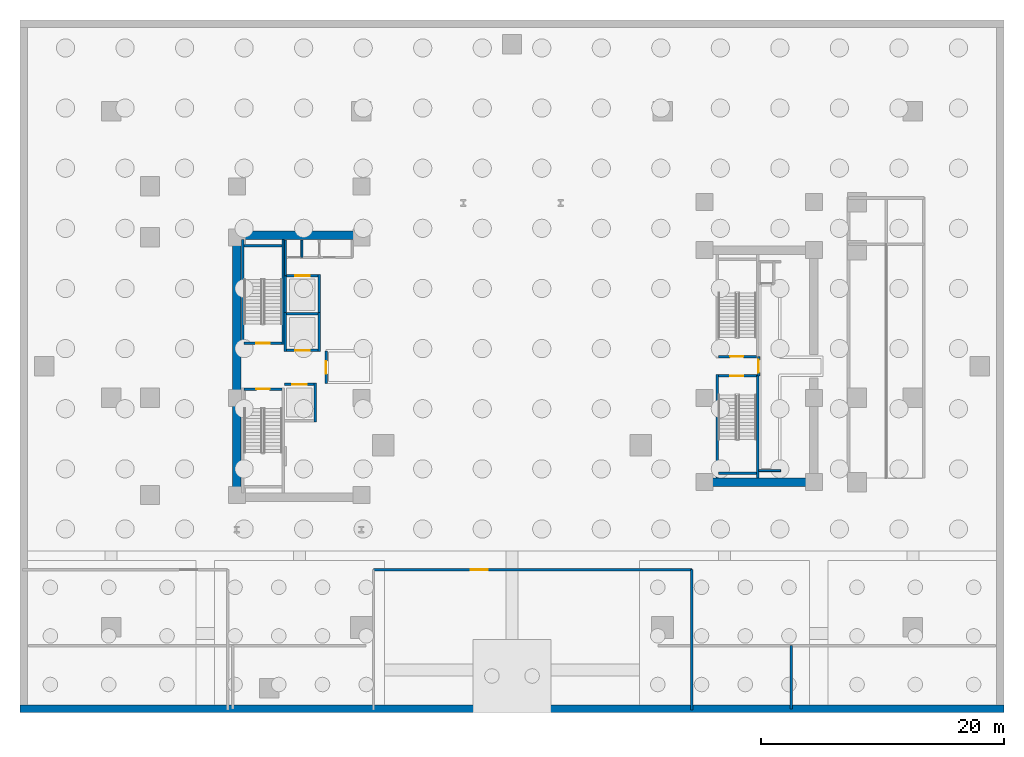
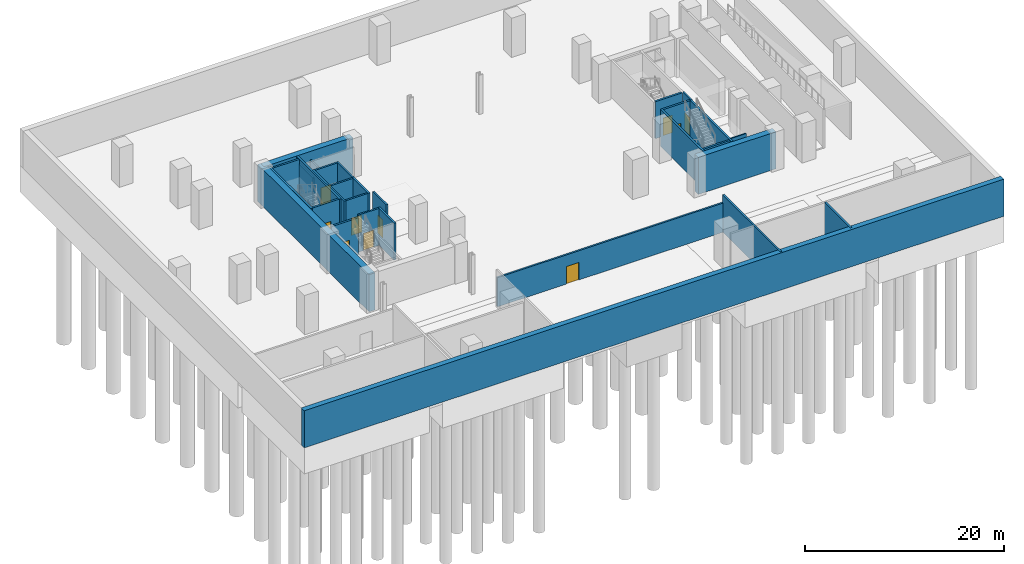
# One storey, part 3 of 10: 31 walls, 10 doors, 10 openings.
"""IFC4 building model written with IfcOpenShell, lengths in metres."""

from ifc_helpers import new_model, si_unit, direction, frame, frame_2d, origin, place, context, subcontext, project, spatial, rectangle, extrude, material, layer, layer_set, type_object, element, fill, save


model = new_model("IFC4")

# Units and contexts
model_context = context("Model", 3, precision=1e-05, world=origin(), true_north=direction((0.0, 1.0)))
body_context = subcontext(model_context, "Body", "Model", "MODEL_VIEW")
ifc_project = project(units=[si_unit("LENGTHUNIT", "METRE"), si_unit("AREAUNIT", "SQUARE_METRE"), si_unit("VOLUMEUNIT", "CUBIC_METRE"), si_unit("PLANEANGLEUNIT", "RADIAN"), si_unit("MASSUNIT", "GRAM", prefix="KILO")], contexts=[model_context])

# Site, building, storey
site_placement = place(None, origin())
site = spatial("IfcSite", under=ifc_project, at=site_placement, CompositionType="ELEMENT")
building_placement = place(site_placement, origin())
building = spatial("IfcBuilding", under=site, at=building_placement, Name="Valdorenza Pilgrim Sanctuary Tower", CompositionType="ELEMENT")
storey_placement = place(building_placement, frame((0.0, 0.0, -9.60009765625)))
storey = spatial("IfcBuildingStorey", under=building, at=storey_placement, Name="B02", CompositionType="ELEMENT", Elevation=-9.60009765625)

# Walls
ifc_material_1 = material(Name="Acoustic twin-stud gypsum partition", Category="gypsum")
ifc_layer_1 = layer(ifc_material_1, 0.159912109375, Name="Acoustic twin-stud gypsum partition")
ifc_layer_set_1 = layer_set([ifc_layer_1], Name="Acoustic twin-stud gypsum partition")
wall_type_1 = type_object("IfcWallType", Name="WAL-COR-160", PredefinedType="PARTITIONING", material=ifc_layer_set_1)
wall_1_placement = place(storey_placement, frame((-18.64990234375, 7.449951171875, 0.0), z_axis=(0.0, 0.0, 1.0), x_axis=(0.0, 1.0, 0.0)))
element("IfcWall", 1, at=wall_1_placement, inside=storey, type_object=wall_type_1, Name="B02 Core A North Service West Wall", PredefinedType="PARTITIONING", context=body_context, shape_type="SweptSolid", body=[
    extrude(rectangle(XDim=2.929931640625, YDim=0.159912109375, at=frame_2d((1.46484375, 0.0))), origin(), (0.0, 0.0, 1.0), 3.5771484375),
])
wall_2_placement = place(storey_placement, frame((-17.300048828125, 8.949951171875, 0.0), z_axis=(0.0, 0.0, 1.0), x_axis=(0.0, 1.0, 0.0)))
element("IfcWall", 2, at=wall_2_placement, inside=storey, type_object=wall_type_1, Name="B02 Core Electrical Riser Wall", PredefinedType="PARTITIONING", context=body_context, shape_type="SweptSolid", body=[
    extrude(rectangle(XDim=1.429931640625, YDim=0.159912109375, at=frame_2d((0.71484375, 0.0))), origin(), (0.0, 0.0, 1.0), 3.5771484375),
])
wall_3_placement = place(storey_placement, frame((20.300048828125, -8.60009765625, 0.0), z_axis=(0.0, 0.0, 1.0), x_axis=(1.0, 0.0, 0.0)))
element("IfcWall", 3, at=wall_3_placement, inside=storey, type_object=wall_type_1, Name="B02 Core B Lift Hall South End Wall", PredefinedType="PARTITIONING", context=body_context, shape_type="SweptSolid", body=[
    extrude(rectangle(XDim=1.820068359375, YDim=0.159912109375, at=frame_2d((0.91015625, 0.0))), origin(), (0.0, 0.0, 1.0), 4.5400390625),
])
ifc_material_2 = material(Name="Concrete C60/75", Category="concrete")
ifc_layer_2 = layer(ifc_material_2, 0.699951171875, Name="Concrete C60/75")
ifc_layer_set_2 = layer_set([ifc_layer_2], Name="Concrete C60/75")
wall_type_2 = type_object("IfcWallType", Name="WAL-COR-700", PredefinedType="SHEAR", material=ifc_layer_set_2)
wall_4_placement = place(storey_placement, frame((-22.64990234375, -11.14990234375, 0.0), z_axis=(0.0, 0.0, 1.0), x_axis=(0.0, 1.0, 0.0)))
element("IfcWall", 4, at=wall_4_placement, inside=storey, type_object=wall_type_2, Name="B02 Split Core A Shear Wall W", PredefinedType="SHEAR", context=body_context, shape_type="SweptSolid", body=[
    extrude(rectangle(XDim=22.2998046875, YDim=0.699951171875, at=frame_2d((11.14990234375, 0.0))), origin(), (0.0, 0.0, 1.0), 4.5400390625),
])
wall_5_placement = place(storey_placement, frame((-22.64990234375, 10.800048828125, 0.0), z_axis=(0.0, 0.0, 1.0), x_axis=(1.0, 0.0, 0.0)))
element("IfcWall", 5, at=wall_5_placement, inside=storey, type_object=wall_type_2, Name="B02 Split Core A Shear Wall N", PredefinedType="SHEAR", context=body_context, shape_type="SweptSolid", body=[
    extrude(rectangle(XDim=10.25, YDim=0.699951171875, at=frame_2d((5.125, 0.0))), origin(), (0.0, 0.0, 1.0), 4.5400390625),
])
wall_6_placement = place(storey_placement, frame((15.85009765625, -9.550048828125, 0.0), z_axis=(0.0, 0.0, 1.0), x_axis=(1.0, 0.0, 0.0)))
element("IfcWall", 6, at=wall_6_placement, inside=storey, type_object=wall_type_2, Name="B02 Split Core B Shear Wall S", PredefinedType="SHEAR", context=body_context, shape_type="SweptSolid", body=[
    extrude(rectangle(XDim=9.0, YDim=0.699951171875, at=frame_2d((4.5, 0.0))), origin(), (0.0, 0.0, 1.0), 4.5400390625),
])

# Wall, opening, door
ifc_material_3 = material(Name="Gypsum shaftwall partition", Category="gypsum")
ifc_layer_3 = layer(ifc_material_3, 0.199951171875, Name="Gypsum shaftwall partition")
ifc_layer_set_3 = layer_set([ifc_layer_3], Name="Gypsum shaftwall partition")
wall_type_3 = type_object("IfcWallType", Name="WAL-FFL-200", PredefinedType="PARTITIONING", material=ifc_layer_set_3)
wall_7_placement = place(storey_placement, frame((-15.300048828125, -1.419921875, 0.0), z_axis=(0.0, 0.0, 1.0), x_axis=(0.0, 1.0, 0.0)))
wall_7 = element("IfcWall", 7, at=wall_7_placement, inside=storey, type_object=wall_type_3, Name="B02 Core A Firefighting Lobby East Wall", PredefinedType="PARTITIONING", context=body_context, shape_type="SweptSolid", body=[
    extrude(rectangle(XDim=2.669921875, YDim=0.199951171875, at=frame_2d((1.3349609375, 0.0))), origin(), (0.0, 0.0, 1.0), 4.5400390625),
])
opening_1_placement = place(wall_7_placement, frame((0.780029296875, 0.0, 0.0)))
opening_1 = element("IfcOpeningElement", 8, at=opening_1_placement, cuts=wall_7, Name="Opening DR-FL1", PredefinedType="OPENING", context=body_context, shape_type="SweptSolid", body=[
    extrude(rectangle(XDim=1.050048828125, YDim=2.14990234375, at=frame_2d((0.52490234375, 1.074951171875))), frame((0.0, 0.11474609375, 0.0), z_axis=(0.0, -1.0, 0.0), x_axis=(1.0, 0.0, 0.0)), (0.0, 0.0, 1.0), 0.229736328125),
])
ifc_material_4 = material(Name="Painted galvanized steel", Category="steel")
door_type_1 = type_object("IfcDoorType", Name="DR-FFL-1050", OperationType="NOTDEFINED", PredefinedType="DOOR", material=ifc_material_4)
door_1_placement = place(opening_1_placement, origin())
door_1 = element("IfcDoor", 9, at=door_1_placement, inside=storey, type_object=door_type_1, Name="B02 Core A Firefighting Lobby Door", OperationType="SINGLE_SWING_RIGHT", OverallHeight=2.14990234375, OverallWidth=1.050048828125, PredefinedType="DOOR", context=body_context, shape_type="SweptSolid", body=[
    extrude(rectangle(XDim=1.050048828125, YDim=2.14990234375, at=frame_2d((0.52490234375, 1.074951171875))), frame((0.0, 0.02490234375, 0.0), z_axis=(0.0, -1.0, 0.0), x_axis=(1.0, 0.0, 0.0)), (0.0, 0.0, 1.0), 0.050048828125),
])
fill(opening_1, door_1)

wall_8_placement = place(storey_placement, frame((20.300048828125, -0.820068359375, 0.0), z_axis=(0.0, 0.0, 1.0), x_axis=(0.0, 1.0, 0.0)))
wall_8 = element("IfcWall", 10, at=wall_8_placement, inside=storey, type_object=wall_type_3, Name="B02 Core B Firefighting Lobby East Wall", PredefinedType="PARTITIONING", context=body_context, shape_type="SweptSolid", body=[
    extrude(rectangle(XDim=1.64013671875, YDim=0.199951171875, at=frame_2d((0.820068359375, 0.0))), origin(), (0.0, 0.0, 1.0), 4.5400390625),
])
opening_2_placement = place(wall_8_placement, frame((0.294921875, 0.0, 0.0)))
opening_2 = element("IfcOpeningElement", 11, at=opening_2_placement, cuts=wall_8, Name="Opening DR-FL1", PredefinedType="OPENING", context=body_context, shape_type="SweptSolid", body=[
    extrude(rectangle(XDim=1.050048828125, YDim=2.14990234375, at=frame_2d((0.52490234375, 1.074951171875))), frame((0.0, 0.11474609375, 0.0), z_axis=(0.0, -1.0, 0.0), x_axis=(1.0, 0.0, 0.0)), (0.0, 0.0, 1.0), 0.229736328125),
])
door_2_placement = place(opening_2_placement, origin())
door_2 = element("IfcDoor", 12, at=door_2_placement, inside=storey, type_object=door_type_1, Name="B02 Core B Firefighting Lobby Door", OperationType="SINGLE_SWING_RIGHT", OverallHeight=2.14990234375, OverallWidth=1.050048828125, PredefinedType="DOOR", context=body_context, shape_type="SweptSolid", body=[
    extrude(rectangle(XDim=1.050048828125, YDim=2.14990234375, at=frame_2d((0.52490234375, 1.074951171875))), frame((0.0, 0.02490234375, 0.0), z_axis=(0.0, -1.0, 0.0), x_axis=(1.0, 0.0, 0.0)), (0.0, 0.0, 1.0), 0.050048828125),
])
fill(opening_2, door_2)

wall_9_placement = place(storey_placement, frame((-11.39990234375, -16.75, 0.0), z_axis=(0.0, 0.0, 1.0), x_axis=(1.0, 0.0, 0.0)))
wall_9 = element("IfcWall", 13, at=wall_9_placement, inside=storey, type_object=wall_type_3, Name="B02 South-Central Plant Wall", PredefinedType="PARTITIONING", context=body_context, shape_type="SweptSolid", body=[
    extrude(rectangle(XDim=26.199951171875, YDim=0.199951171875, at=frame_2d((13.10009765625, 0.0))), origin(), (0.0, 0.0, 1.0), 3.5771484375),
])
opening_3_placement = place(wall_9_placement, frame((8.0, 0.0, 0.0)))
opening_3 = element("IfcOpeningElement", 14, at=opening_3_placement, cuts=wall_9, Name="Opening DR-PL1", PredefinedType="OPENING", context=body_context, shape_type="SweptSolid", body=[
    extrude(rectangle(XDim=1.39990234375, YDim=2.14990234375, at=frame_2d((0.699951171875, 1.074951171875))), frame((0.0, 0.11474609375, 0.0), z_axis=(0.0, -1.0, 0.0), x_axis=(1.0, 0.0, 0.0)), (0.0, 0.0, 1.0), 0.229736328125),
])
door_type_2 = type_object("IfcDoorType", Name="DR-PLT-1400", OperationType="NOTDEFINED", PredefinedType="DOOR", material=ifc_material_4)
door_3_placement = place(opening_3_placement, frame((1.39990234375, 0.0, 0.0), z_axis=(0.0, 0.0, 1.0), x_axis=(-1.0, 0.0, 0.0)))
door_3 = element("IfcDoor", 15, at=door_3_placement, inside=storey, type_object=door_type_2, Name="B02 Central Plant Hall Door", OperationType="DOUBLE_DOOR_SINGLE_SWING", OverallHeight=2.14990234375, OverallWidth=1.39990234375, PredefinedType="DOOR", context=body_context, shape_type="SweptSolid", body=[
    extrude(rectangle(XDim=1.39990234375, YDim=2.14990234375, at=frame_2d((0.699951171875, 1.074951171875))), frame((0.0, 0.02490234375, 0.0), z_axis=(0.0, -1.0, 0.0), x_axis=(1.0, 0.0, 0.0)), (0.0, 0.0, 1.0), 0.050048828125),
])
fill(opening_3, door_3)

# Walls
wall_10_placement = place(storey_placement, frame((14.800048828125, -28.300048828125, 0.0), z_axis=(0.0, 0.0, 1.0), x_axis=(0.0, 1.0, 0.0)))
element("IfcWall", 16, at=wall_10_placement, inside=storey, type_object=wall_type_3, Name="B02 South-Central Plant East Wall", PredefinedType="PARTITIONING", context=body_context, shape_type="SweptSolid", body=[
    extrude(rectangle(XDim=11.550048828125, YDim=0.199951171875, at=frame_2d((5.77490234375, 0.0))), origin(), (0.0, 0.0, 1.0), 4.5400390625),
])
ifc_material_5 = material(Name="Concrete C50/60", Category="concrete")
ifc_layer_4 = layer(ifc_material_5, 0.60009765625, Name="Concrete C50/60")
ifc_layer_set_4 = layer_set([ifc_layer_4], Name="Concrete C50/60")
wall_type_4 = type_object("IfcWallType", Name="WAL-RET-600", PredefinedType="SOLIDWALL", material=ifc_layer_set_4)
wall_11_placement = place(storey_placement, frame((-40.5, -28.199951171875, 0.0), z_axis=(0.0, 0.0, 1.0), x_axis=(1.0, 0.0, 0.0)))
element("IfcWall", 17, at=wall_11_placement, inside=storey, type_object=wall_type_4, Name="B02 Basement Retaining Wall S", PredefinedType="SOLIDWALL", context=body_context, shape_type="SweptSolid", body=[
    extrude(rectangle(XDim=81.0, YDim=0.60009765625, at=frame_2d((40.5, 0.0))), origin(), (0.0, 0.0, 1.0), 4.5400390625),
])
ifc_material_6 = material(Name="Autoclaved aerated concrete blockwork", Category="masonry")
ifc_layer_5 = layer(ifc_material_6, 0.199951171875, Name="Autoclaved aerated concrete blockwork")
ifc_layer_set_5 = layer_set([ifc_layer_5], Name="Autoclaved aerated concrete blockwork")
wall_type_5 = type_object("IfcWallType", Name="WAL-SHF-200", PredefinedType="MOVABLE", material=ifc_layer_set_5)
for number, where, z_axis, x_axis, name in (
    (18, (-18.64990234375, 1.199951171875, 0.0), (0.0, 0.0, 1.0), (0.0, 1.0, 0.0), "B02 Lift FFL-01 Hoistway Wall West"),
    (19, (-15.85009765625, 1.199951171875, 0.0), (0.0, 0.0, 1.0), (0.0, 1.0, 0.0), "B02 Lift FFL-01 Hoistway Wall East"),
):
    element("IfcWall", number, at=place(storey_placement, frame(where, z_axis=z_axis, x_axis=x_axis)), inside=storey, type_object=wall_type_5, Name=name, PredefinedType="MOVABLE", context=body_context, shape_type="SweptSolid", body=[
        extrude(rectangle(XDim=3.22509765625, YDim=0.199951171875, at=frame_2d((1.612548828125, 0.0))), origin(), (0.0, 0.0, 1.0), 4.5400390625),
    ])

# Wall, opening, door
wall_12_placement = place(storey_placement, frame((-18.550048828125, 1.300048828125, 0.0), z_axis=(0.0, 0.0, 1.0), x_axis=(1.0, 0.0, 0.0)))
wall_12 = element("IfcWall", 20, at=wall_12_placement, inside=storey, type_object=wall_type_5, Name="B02 Lift FFL-01 Hoistway Wall South", PredefinedType="MOVABLE", context=body_context, shape_type="SweptSolid", body=[
    extrude(rectangle(XDim=2.60009765625, YDim=0.199951171875, at=frame_2d((1.300048828125, 0.0))), origin(), (0.0, 0.0, 1.0), 4.5400390625),
])
opening_4_placement = place(wall_12_placement, frame((0.699951171875, 0.0, 0.0)))
opening_4 = element("IfcOpeningElement", 21, at=opening_4_placement, cuts=wall_12, Name="Opening LD-02", PredefinedType="OPENING", context=body_context, shape_type="SweptSolid", body=[
    extrude(rectangle(XDim=1.199951171875, YDim=2.10009765625, at=frame_2d((0.60009765625, 1.050048828125))), frame((0.0, 0.11474609375, 0.0), z_axis=(0.0, -1.0, 0.0), x_axis=(1.0, 0.0, 0.0)), (0.0, 0.0, 1.0), 0.229736328125),
])
ifc_material_7 = material(Name="Brushed stainless steel Grade 316", Category="steel")
door_type_3 = type_object("IfcDoorType", Name="DR-LFT-1200", OperationType="DOUBLE_DOOR_SLIDING", PredefinedType="DOOR", material=ifc_material_7)
door_4_placement = place(opening_4_placement, origin())
door_4 = element("IfcDoor", 22, at=door_4_placement, inside=storey, type_object=door_type_3, Name="B02 Lift FFL-01 Sliding Landing Door", OperationType="DOUBLE_DOOR_SLIDING", OverallHeight=2.10009765625, OverallWidth=1.199951171875, PredefinedType="DOOR", context=body_context, shape_type="SweptSolid", body=[
    extrude(rectangle(XDim=1.199951171875, YDim=2.10009765625, at=frame_2d((0.60009765625, 1.050048828125))), frame((0.0, 0.02490234375, 0.0), z_axis=(0.0, -1.0, 0.0), x_axis=(1.0, 0.0, 0.0)), (0.0, 0.0, 1.0), 0.050048828125),
])
fill(opening_4, door_4)

# Walls
wall_13_placement = place(storey_placement, frame((-18.550048828125, 4.324951171875, 0.0), z_axis=(0.0, 0.0, 1.0), x_axis=(1.0, 0.0, 0.0)))
element("IfcWall", 23, at=wall_13_placement, inside=storey, type_object=wall_type_5, Name="B02 Lift FFL-01 Hoistway Wall North", PredefinedType="MOVABLE", context=body_context, shape_type="SweptSolid", body=[
    extrude(rectangle(XDim=2.60009765625, YDim=0.199951171875, at=frame_2d((1.300048828125, 0.0))), origin(), (0.0, 0.0, 1.0), 4.5400390625),
])
wall_14_placement = place(storey_placement, frame((-16.199951171875, -4.60009765625, 0.0), z_axis=(0.0, 0.0, 1.0), x_axis=(0.0, 1.0, 0.0)))
element("IfcWall", 24, at=wall_14_placement, inside=storey, type_object=wall_type_5, Name="B02 Lift FFL-02 Hoistway Wall East", PredefinedType="MOVABLE", context=body_context, shape_type="SweptSolid", body=[
    extrude(rectangle(XDim=3.2001953125, YDim=0.199951171875, at=frame_2d((1.60009765625, 0.0))), origin(), (0.0, 0.0, 1.0), 4.5400390625),
])

# Wall, opening, door
wall_15_placement = place(storey_placement, frame((-18.719970703125, -1.5, 0.0), z_axis=(0.0, 0.0, 1.0), x_axis=(1.0, 0.0, 0.0)))
wall_15 = element("IfcWall", 25, at=wall_15_placement, inside=storey, type_object=wall_type_5, Name="B02 Lift FFL-02 Hoistway Wall North", PredefinedType="MOVABLE", context=body_context, shape_type="SweptSolid", body=[
    extrude(rectangle(XDim=2.419921875, YDim=0.199951171875, at=frame_2d((1.2099609375, 0.0))), origin(), (0.0, 0.0, 1.0), 4.5400390625),
])
opening_5_placement = place(wall_15_placement, frame((0.610107421875, 0.0, 0.0)))
opening_5 = element("IfcOpeningElement", 26, at=opening_5_placement, cuts=wall_15, Name="Opening LD-02", PredefinedType="OPENING", context=body_context, shape_type="SweptSolid", body=[
    extrude(rectangle(XDim=1.199951171875, YDim=2.10009765625, at=frame_2d((0.60009765625, 1.050048828125))), frame((0.0, 0.11474609375, 0.0), z_axis=(0.0, -1.0, 0.0), x_axis=(1.0, 0.0, 0.0)), (0.0, 0.0, 1.0), 0.229736328125),
])
door_5_placement = place(opening_5_placement, origin())
door_5 = element("IfcDoor", 27, at=door_5_placement, inside=storey, type_object=door_type_3, Name="B02 Lift FFL-02 Sliding Landing Door", OperationType="DOUBLE_DOOR_SLIDING", OverallHeight=2.10009765625, OverallWidth=1.199951171875, PredefinedType="DOOR", context=body_context, shape_type="SweptSolid", body=[
    extrude(rectangle(XDim=1.199951171875, YDim=2.10009765625, at=frame_2d((0.60009765625, 1.050048828125))), frame((0.0, 0.02490234375, 0.0), z_axis=(0.0, -1.0, 0.0), x_axis=(1.0, 0.0, 0.0)), (0.0, 0.0, 1.0), 0.050048828125),
])
fill(opening_5, door_5)

# Walls
for number, where, z_axis, x_axis, name in (
    (28, (-18.64990234375, 4.22509765625, 0.0), (0.0, 0.0, 1.0), (0.0, 1.0, 0.0), "B02 Lift SVL-01 Hoistway Wall West"),
    (29, (-15.85009765625, 4.22509765625, 0.0), (0.0, 0.0, 1.0), (0.0, 1.0, 0.0), "B02 Lift SVL-01 Hoistway Wall East"),
):
    element("IfcWall", number, at=place(storey_placement, frame(where, z_axis=z_axis, x_axis=x_axis)), inside=storey, type_object=wall_type_5, Name=name, PredefinedType="MOVABLE", context=body_context, shape_type="SweptSolid", body=[
        extrude(rectangle(XDim=3.324951171875, YDim=0.199951171875, at=frame_2d((1.66259765625, 0.0))), origin(), (0.0, 0.0, 1.0), 4.5400390625),
    ])

# Wall, opening, door
wall_16_placement = place(storey_placement, frame((-18.550048828125, 7.449951171875, 0.0), z_axis=(0.0, 0.0, 1.0), x_axis=(1.0, 0.0, 0.0)))
wall_16 = element("IfcWall", 30, at=wall_16_placement, inside=storey, type_object=wall_type_5, Name="B02 Lift SVL-01 Hoistway Wall North", PredefinedType="MOVABLE", context=body_context, shape_type="SweptSolid", body=[
    extrude(rectangle(XDim=2.60009765625, YDim=0.199951171875, at=frame_2d((1.300048828125, 0.0))), origin(), (0.0, 0.0, 1.0), 4.5400390625),
])
opening_6_placement = place(wall_16_placement, frame((0.699951171875, 0.0, 0.0)))
opening_6 = element("IfcOpeningElement", 31, at=opening_6_placement, cuts=wall_16, Name="Opening LD-02", PredefinedType="OPENING", context=body_context, shape_type="SweptSolid", body=[
    extrude(rectangle(XDim=1.199951171875, YDim=2.10009765625, at=frame_2d((0.60009765625, 1.050048828125))), frame((0.0, 0.11474609375, 0.0), z_axis=(0.0, -1.0, 0.0), x_axis=(1.0, 0.0, 0.0)), (0.0, 0.0, 1.0), 0.229736328125),
])
door_6_placement = place(opening_6_placement, origin())
door_6 = element("IfcDoor", 32, at=door_6_placement, inside=storey, type_object=door_type_3, Name="B02 Lift SVL-01 Sliding Landing Door", OperationType="DOUBLE_DOOR_SLIDING", OverallHeight=2.10009765625, OverallWidth=1.199951171875, PredefinedType="DOOR", context=body_context, shape_type="SweptSolid", body=[
    extrude(rectangle(XDim=1.199951171875, YDim=2.10009765625, at=frame_2d((0.60009765625, 1.050048828125))), frame((0.0, 0.02490234375, 0.0), z_axis=(0.0, -1.0, 0.0), x_axis=(1.0, 0.0, 0.0)), (0.0, 0.0, 1.0), 0.050048828125),
])
fill(opening_6, door_6)

# Walls
ifc_material_8 = material(Name="Concrete C40/50", Category="concrete")
ifc_layer_6 = layer(ifc_material_8, 0.219970703125, Name="Concrete C40/50")
ifc_layer_set_6 = layer_set([ifc_layer_6], Name="Concrete C40/50")
wall_type_6 = type_object("IfcWallType", Name="WAL-STR-SHF-220", PredefinedType="SHEAR", material=ifc_layer_set_6)
for number, where, z_axis, x_axis, name in (
    (33, (-22.159912109375, 1.780029296875, 0.0), (0.0, 0.0, 1.0), (0.0, 1.0, 0.0), "B02 ST-A1 Structural Stairwell Wall W"),
    (34, (-18.830078125, 1.780029296875, 0.0), (0.0, 0.0, 1.0), (0.0, 1.0, 0.0), "B02 ST-A1 Structural Stairwell Wall E"),
):
    element("IfcWall", number, at=place(storey_placement, frame(where, z_axis=z_axis, x_axis=x_axis)), inside=storey, type_object=wall_type_6, Name=name, PredefinedType="SHEAR", context=body_context, shape_type="SweptSolid", body=[
        extrude(rectangle(XDim=8.669921875, YDim=0.219970703125, at=frame_2d((4.3349609375, 0.0))), origin(), (0.0, 0.0, 1.0), 4.5400390625),
    ])

# Wall, opening, door
wall_17_placement = place(storey_placement, frame((-22.050048828125, 1.889892578125, 0.0), z_axis=(0.0, 0.0, 1.0), x_axis=(1.0, 0.0, 0.0)))
wall_17 = element("IfcWall", 35, at=wall_17_placement, inside=storey, type_object=wall_type_6, Name="B02 ST-A1 Structural Stairwell Wall S", PredefinedType="SHEAR", context=body_context, shape_type="SweptSolid", body=[
    extrude(rectangle(XDim=3.110107421875, YDim=0.219970703125, at=frame_2d((1.55517578125, 0.0))), origin(), (0.0, 0.0, 1.0), 4.5400390625),
])
opening_7_placement = place(wall_17_placement, frame((1.0, 0.0, 0.0)))
opening_7 = element("IfcOpeningElement", 36, at=opening_7_placement, cuts=wall_17, Name="Opening DR-ST1", PredefinedType="OPENING", context=body_context, shape_type="SweptSolid", body=[
    extrude(rectangle(XDim=1.10009765625, YDim=2.14990234375, at=frame_2d((0.550048828125, 1.074951171875))), frame((0.0, 0.125, 0.0), z_axis=(0.0, -1.0, 0.0), x_axis=(1.0, 0.0, 0.0)), (0.0, 0.0, 1.0), 0.249755859375),
])
door_type_4 = type_object("IfcDoorType", Name="DR-STAIR-1100", OperationType="NOTDEFINED", PredefinedType="DOOR", material=ifc_material_4)
door_7_placement = place(opening_7_placement, frame((1.10009765625, 0.0, 0.0), z_axis=(0.0, 0.0, 1.0), x_axis=(-1.0, 0.0, 0.0)))
door_7 = element("IfcDoor", 37, at=door_7_placement, inside=storey, type_object=door_type_4, Name="B02 Exit Stair ST-A1 Door", OperationType="SINGLE_SWING_LEFT", OverallHeight=2.14990234375, OverallWidth=1.10009765625, PredefinedType="DOOR", context=body_context, shape_type="SweptSolid", body=[
    extrude(rectangle(XDim=1.10009765625, YDim=2.14990234375, at=frame_2d((0.550048828125, 1.074951171875))), frame((0.0, 0.02490234375, 0.0), z_axis=(0.0, -1.0, 0.0), x_axis=(1.0, 0.0, 0.0)), (0.0, 0.0, 1.0), 0.050048828125),
])
fill(opening_7, door_7)

# Wall
wall_18_placement = place(storey_placement, frame((-22.050048828125, 9.909912109375, 0.0), z_axis=(0.0, 0.0, 1.0), x_axis=(1.0, 0.0, 0.0)))
element("IfcWall", 38, at=wall_18_placement, inside=storey, type_object=wall_type_6, Name="B02 ST-A1 Structural Stairwell Wall N", PredefinedType="SHEAR", context=body_context, shape_type="SweptSolid", body=[
    extrude(rectangle(XDim=3.110107421875, YDim=0.219970703125, at=frame_2d((1.55517578125, 0.0))), origin(), (0.0, 0.0, 1.0), 4.5400390625),
])

# Wall, opening, door
wall_19_placement = place(storey_placement, frame((-22.050048828125, -1.889892578125, 0.0), z_axis=(0.0, 0.0, 1.0), x_axis=(1.0, 0.0, 0.0)))
wall_19 = element("IfcWall", 39, at=wall_19_placement, inside=storey, type_object=wall_type_6, Name="B02 ST-A2 Structural Stairwell Wall N", PredefinedType="SHEAR", context=body_context, shape_type="SweptSolid", body=[
    extrude(rectangle(XDim=3.110107421875, YDim=0.219970703125, at=frame_2d((1.55517578125, 0.0))), origin(), (0.0, 0.0, 1.0), 4.5400390625),
])
opening_8_placement = place(wall_19_placement, frame((1.0, 0.0, 0.0)))
opening_8 = element("IfcOpeningElement", 40, at=opening_8_placement, cuts=wall_19, Name="Opening DR-ST1", PredefinedType="OPENING", context=body_context, shape_type="SweptSolid", body=[
    extrude(rectangle(XDim=1.10009765625, YDim=2.14990234375, at=frame_2d((0.550048828125, 1.074951171875))), frame((0.0, 0.125, 0.0), z_axis=(0.0, -1.0, 0.0), x_axis=(1.0, 0.0, 0.0)), (0.0, 0.0, 1.0), 0.249755859375),
])
door_8_placement = place(opening_8_placement, origin())
door_8 = element("IfcDoor", 41, at=door_8_placement, inside=storey, type_object=door_type_4, Name="B02 Exit Stair ST-A2 Door", OperationType="SINGLE_SWING_RIGHT", OverallHeight=2.14990234375, OverallWidth=1.10009765625, PredefinedType="DOOR", context=body_context, shape_type="SweptSolid", body=[
    extrude(rectangle(XDim=1.10009765625, YDim=2.14990234375, at=frame_2d((0.550048828125, 1.074951171875))), frame((0.0, 0.02490234375, 0.0), z_axis=(0.0, -1.0, 0.0), x_axis=(1.0, 0.0, 0.0)), (0.0, 0.0, 1.0), 0.050048828125),
])
fill(opening_8, door_8)

wall_20_placement = place(storey_placement, frame((17.0, 0.7900390625, 0.0), z_axis=(0.0, 0.0, 1.0), x_axis=(1.0, 0.0, 0.0)))
wall_20 = element("IfcWall", 42, at=wall_20_placement, inside=storey, type_object=wall_type_6, Name="B02 ST-B1 Structural Stairwell Wall S", PredefinedType="SHEAR", context=body_context, shape_type="SweptSolid", body=[
    extrude(rectangle(XDim=3.110107421875, YDim=0.219970703125, at=frame_2d((1.55517578125, 0.0))), origin(), (0.0, 0.0, 1.0), 4.5400390625),
])
opening_9_placement = place(wall_20_placement, frame((0.949951171875, 0.0, 0.0)))
opening_9 = element("IfcOpeningElement", 43, at=opening_9_placement, cuts=wall_20, Name="Opening DR-ST1", PredefinedType="OPENING", context=body_context, shape_type="SweptSolid", body=[
    extrude(rectangle(XDim=1.10009765625, YDim=2.14990234375, at=frame_2d((0.550048828125, 1.074951171875))), frame((0.0, 0.125, 0.0), z_axis=(0.0, -1.0, 0.0), x_axis=(1.0, 0.0, 0.0)), (0.0, 0.0, 1.0), 0.249755859375),
])
door_9_placement = place(opening_9_placement, frame((1.10009765625, 0.0, 0.0), z_axis=(0.0, 0.0, 1.0), x_axis=(-1.0, 0.0, 0.0)))
door_9 = element("IfcDoor", 44, at=door_9_placement, inside=storey, type_object=door_type_4, Name="B02 Exit Stair ST-B1 Door", OperationType="SINGLE_SWING_LEFT", OverallHeight=2.14990234375, OverallWidth=1.10009765625, PredefinedType="DOOR", context=body_context, shape_type="SweptSolid", body=[
    extrude(rectangle(XDim=1.10009765625, YDim=2.14990234375, at=frame_2d((0.550048828125, 1.074951171875))), frame((0.0, 0.02490234375, 0.0), z_axis=(0.0, -1.0, 0.0), x_axis=(1.0, 0.0, 0.0)), (0.0, 0.0, 1.0), 0.050048828125),
])
fill(opening_9, door_9)

# Walls
for number, where, z_axis, x_axis, name in (
    (45, (16.889892578125, -9.199951171875, 0.0), (0.0, 0.0, 1.0), (0.0, 1.0, 0.0), "B02 ST-B2 Structural Stairwell Wall W"),
    (46, (20.219970703125, -9.199951171875, 0.0), (0.0, 0.0, 1.0), (0.0, 1.0, 0.0), "B02 ST-B2 Structural Stairwell Wall E"),
):
    element("IfcWall", number, at=place(storey_placement, frame(where, z_axis=z_axis, x_axis=x_axis)), inside=storey, type_object=wall_type_6, Name=name, PredefinedType="SHEAR", context=body_context, shape_type="SweptSolid", body=[
        extrude(rectangle(XDim=8.52001953125, YDim=0.219970703125, at=frame_2d((4.260009765625, 0.0))), origin(), (0.0, 0.0, 1.0), 4.5400390625),
    ])
wall_21_placement = place(storey_placement, frame((17.0, -8.81005859375, 0.0), z_axis=(0.0, 0.0, 1.0), x_axis=(1.0, 0.0, 0.0)))
element("IfcWall", 47, at=wall_21_placement, inside=storey, type_object=wall_type_6, Name="B02 ST-B2 Structural Stairwell Wall S", PredefinedType="SHEAR", context=body_context, shape_type="SweptSolid", body=[
    extrude(rectangle(XDim=3.110107421875, YDim=0.219970703125, at=frame_2d((1.55517578125, 0.0))), origin(), (0.0, 0.0, 1.0), 4.5400390625),
])

# Wall, opening, door
wall_22_placement = place(storey_placement, frame((17.0, -0.7900390625, 0.0), z_axis=(0.0, 0.0, 1.0), x_axis=(1.0, 0.0, 0.0)))
wall_22 = element("IfcWall", 48, at=wall_22_placement, inside=storey, type_object=wall_type_6, Name="B02 ST-B2 Structural Stairwell Wall N", PredefinedType="SHEAR", context=body_context, shape_type="SweptSolid", body=[
    extrude(rectangle(XDim=3.110107421875, YDim=0.219970703125, at=frame_2d((1.55517578125, 0.0))), origin(), (0.0, 0.0, 1.0), 4.5400390625),
])
opening_10_placement = place(wall_22_placement, frame((0.949951171875, 0.0, 0.0)))
opening_10 = element("IfcOpeningElement", 49, at=opening_10_placement, cuts=wall_22, Name="Opening DR-ST1", PredefinedType="OPENING", context=body_context, shape_type="SweptSolid", body=[
    extrude(rectangle(XDim=1.10009765625, YDim=2.14990234375, at=frame_2d((0.550048828125, 1.074951171875))), frame((0.0, 0.125, 0.0), z_axis=(0.0, -1.0, 0.0), x_axis=(1.0, 0.0, 0.0)), (0.0, 0.0, 1.0), 0.249755859375),
])
door_10_placement = place(opening_10_placement, origin())
door_10 = element("IfcDoor", 50, at=door_10_placement, inside=storey, type_object=door_type_4, Name="B02 Exit Stair ST-B2 Door", OperationType="SINGLE_SWING_RIGHT", OverallHeight=2.14990234375, OverallWidth=1.10009765625, PredefinedType="DOOR", context=body_context, shape_type="SweptSolid", body=[
    extrude(rectangle(XDim=1.10009765625, YDim=2.14990234375, at=frame_2d((0.550048828125, 1.074951171875))), frame((0.0, 0.02490234375, 0.0), z_axis=(0.0, -1.0, 0.0), x_axis=(1.0, 0.0, 0.0)), (0.0, 0.0, 1.0), 0.050048828125),
])
fill(opening_10, door_10)

# Wall
wall_23_placement = place(storey_placement, frame((23.0, -28.199951171875, 0.0), z_axis=(0.0, 0.0, 1.0), x_axis=(0.0, 1.0, 0.0)))
element("IfcWall", 51, at=wall_23_placement, inside=storey, type_object=wall_type_6, Name="B02 Forecourt Cross Bearing Wall SEX", PredefinedType="SHEAR", context=body_context, shape_type="SweptSolid", body=[
    extrude(rectangle(XDim=5.199951171875, YDim=0.219970703125, at=frame_2d((2.60009765625, 0.0))), origin(), (0.0, 0.0, 1.0), 4.5400390625),
])

save(model, "model.ifc")
